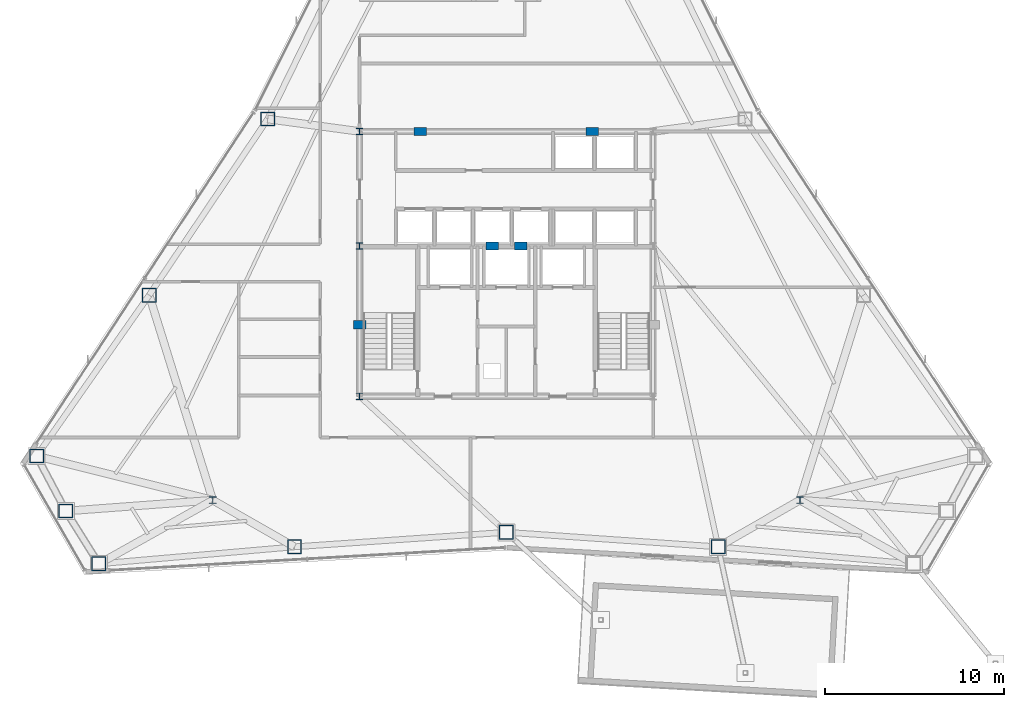
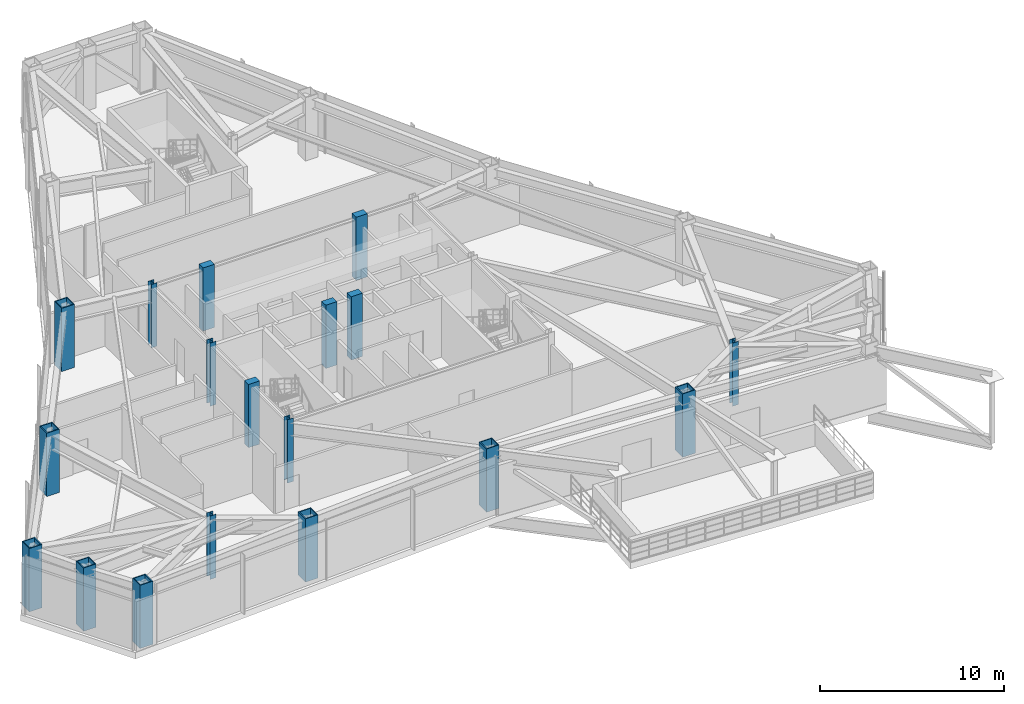
# One storey, part 1 of 13: 18 columns.
"""IFC4 building model written with IfcOpenShell, lengths in metres."""

from ifc_helpers import new_model, si_unit, direction, frame, origin, origin_2d, place, context, subcontext, project, spatial, rectangle, hollow_rectangle, i_section, extrude, material, material_profile, profile_set, type_object, element, save


model = new_model("IFC4")

# Units and contexts
model_context = context("Model", 3, precision=1e-05, world=origin(), true_north=direction((0.0, 1.0)))
body_context = subcontext(model_context, "Body", "Model", "MODEL_VIEW")
ifc_project = project(units=[si_unit("LENGTHUNIT", "METRE"), si_unit("AREAUNIT", "SQUARE_METRE"), si_unit("VOLUMEUNIT", "CUBIC_METRE"), si_unit("PLANEANGLEUNIT", "RADIAN"), si_unit("MASSUNIT", "GRAM", prefix="KILO")], contexts=[model_context])

# Site, building, storey
site_placement = place(None, origin())
site = spatial("IfcSite", under=ifc_project, at=site_placement, CompositionType="ELEMENT")
building_placement = place(site_placement, origin())
building = spatial("IfcBuilding", under=site, at=building_placement, Name="Varakhsha Concourse Tower", CompositionType="ELEMENT")
storey_placement = place(building_placement, frame((0.0, 0.0, 196.5)))
storey = spatial("IfcBuildingStorey", under=building, at=storey_placement, Name="L56", CompositionType="ELEMENT", Elevation=196.5)

# Columns
ifc_material_1 = material(Name="Structural Steel ASTM A992 Grade 50", Category="steel")
ifc_material_profile_1 = material_profile(ifc_material_1, i_section(OverallWidth=0.3740234375, OverallDepth=0.3720703125, WebThickness=0.01611328125, FlangeThickness=0.02587890625, at=origin_2d()), Name="W14X132")
ifc_profile_set_1 = profile_set([ifc_material_profile_1], Name="Structural Steel ASTM A992 Grade 50")
column_type_1 = type_object("IfcColumnType", Name="CL-CORE-W14X132", PredefinedType="COLUMN", material=ifc_profile_set_1)
for number, where, z_axis, x_axis, name in (
    (1, (31.800048828125, 16.39990234375, 0.0), (0.0, 0.0, 1.0), (1.0, 0.0, 0.0), "L56 Core Column CC-SW"),
    (2, (31.800048828125, 24.800048828125, 0.0), (0.0, 0.0, 1.0), (1.0, 0.0, 0.0), "L56 Core Column CC-MW"),
    (3, (31.800048828125, 31.199951171875, 0.0), (0.0, 0.0, 1.0), (1.0, 0.0, 0.0), "L56 Core Column CC-NW"),
    (4, (23.60009765625, 10.60009765625, 0.0), (0.0, 0.0, 1.0), (1.0, 0.0, 0.0), "L56 Core Column SS-W"),
    (5, (56.39990234375, 10.60009765625, 0.0), (0.0, 0.0, 1.0), (1.0, 0.0, 0.0), "L56 Core Column SS-E"),
):
    element("IfcColumn", number, at=place(storey_placement, frame(where, z_axis=z_axis, x_axis=x_axis)), inside=storey, type_object=column_type_1, Name=name, PredefinedType="COLUMN", context=body_context, shape_type="SweptSolid", body=[
        extrude(i_section(OverallWidth=0.3740234375, OverallDepth=0.3720703125, WebThickness=0.01611328125, FlangeThickness=0.02587890625, at=origin_2d()), origin(), (0.0, 0.0, 1.0), 4.199951171875),
    ])
ifc_material_2 = material(Name="Concrete fc 65 MPa", Category="concrete")
ifc_material_profile_2 = material_profile(ifc_material_2, rectangle(XDim=0.699951171875, YDim=0.449951171875, at=origin_2d()), Name="RC 700x450")
ifc_profile_set_2 = profile_set([ifc_material_profile_2], Name="Concrete fc 65 MPa")
column_type_2 = type_object("IfcColumnType", Name="CL-PIL-700X450", PredefinedType="PILASTER", material=ifc_profile_set_2)
for number, where, z_axis, x_axis, name in (
    (6, (31.800048828125, 20.39990234375, 0.0), (0.0, 0.0, 1.0), (1.0, 0.0, 0.0), "L56 Core Boundary Pilaster PIL-W1"),
    (7, (35.199951171875, 31.199951171875, 0.0), (0.0, 0.0, 1.0), (1.0, 0.0, 0.0), "L56 Core Boundary Pilaster PIL-N1"),
    (8, (44.800048828125, 31.199951171875, 0.0), (0.0, 0.0, 1.0), (1.0, 0.0, 0.0), "L56 Core Boundary Pilaster PIL-N2"),
    (9, (39.199951171875, 24.800048828125, 0.0), (0.0, 0.0, 1.0), (1.0, 0.0, 0.0), "L56 Core Boundary Pilaster PIL-M1"),
    (10, (40.800048828125, 24.800048828125, 0.0), (0.0, 0.0, 1.0), (1.0, 0.0, 0.0), "L56 Core Boundary Pilaster PIL-M2"),
):
    element("IfcColumn", number, at=place(storey_placement, frame(where, z_axis=z_axis, x_axis=x_axis)), inside=storey, type_object=column_type_2, Name=name, PredefinedType="PILASTER", context=body_context, shape_type="SweptSolid", body=[
        extrude(rectangle(XDim=0.699951171875, YDim=0.449951171875, at=origin_2d()), origin(), (0.0, 0.0, 1.0), 4.199951171875),
    ])
ifc_material_3 = material(Name="Structural Steel ASTM A572 Grade 50", Category="steel")
ifc_material_profile_3 = material_profile(ifc_material_3, hollow_rectangle(XDim=0.800048828125, YDim=0.800048828125, WallThickness=0.054931640625, at=origin_2d()), Name="BOX 800x800x55")
ifc_profile_set_3 = profile_set([ifc_material_profile_3], Name="Structural Steel ASTM A572 Grade 50")
column_type_3 = type_object("IfcColumnType", Name="CL-TUBE-800", PredefinedType="COLUMN", material=ifc_profile_set_3)
for number, where, z_axis, x_axis, name in (
    (11, (26.668701171875, 31.89697265625, 0.0), (0.0, 0.0, 1.0), (1.0, 0.0, 0.0), "L56 Framed-Tube Column TC05"),
    (12, (20.045166015625, 22.052490234375, 0.0), (0.0, 0.0, 1.0), (1.0, 0.0, 0.0), "L56 Framed-Tube Column TC06"),
    (13, (13.7587890625, 13.06396484375, 0.0), (0.0, 0.0, 1.0), (1.0, 0.0, 0.0), "L56 Framed-Tube Column TC07"),
    (14, (15.389404296875, 9.990966796875, 0.0), (0.0, 0.0, 1.0), (1.0, 0.0, 0.0), "L56 Framed-Tube Column TC08"),
    (15, (17.235595703125, 7.04248046875, 0.0), (0.0, 0.0, 1.0), (1.0, 0.0, 0.0), "L56 Framed-Tube Column TC09"),
    (16, (28.162841796875, 7.9921875, 0.0), (0.0, 0.0, 1.0), (1.0, 0.0, 0.0), "L56 Framed-Tube Column TC10"),
    (17, (40.0, 8.806396484375, 0.0), (0.0, 0.0, 1.0), (1.0, 0.0, 0.0), "L56 Framed-Tube Column TC11"),
    (18, (51.837158203125, 7.9921875, 0.0), (0.0, 0.0, 1.0), (1.0, 0.0, 0.0), "L56 Framed-Tube Column TC12"),
):
    element("IfcColumn", number, at=place(storey_placement, frame(where, z_axis=z_axis, x_axis=x_axis)), inside=storey, type_object=column_type_3, Name=name, PredefinedType="COLUMN", context=body_context, shape_type="SweptSolid", body=[
        extrude(hollow_rectangle(XDim=0.800048828125, YDim=0.800048828125, WallThickness=0.054931640625, at=origin_2d()), origin(), (0.0, 0.0, 1.0), 4.199951171875),
    ])

save(model, "model.ifc")
